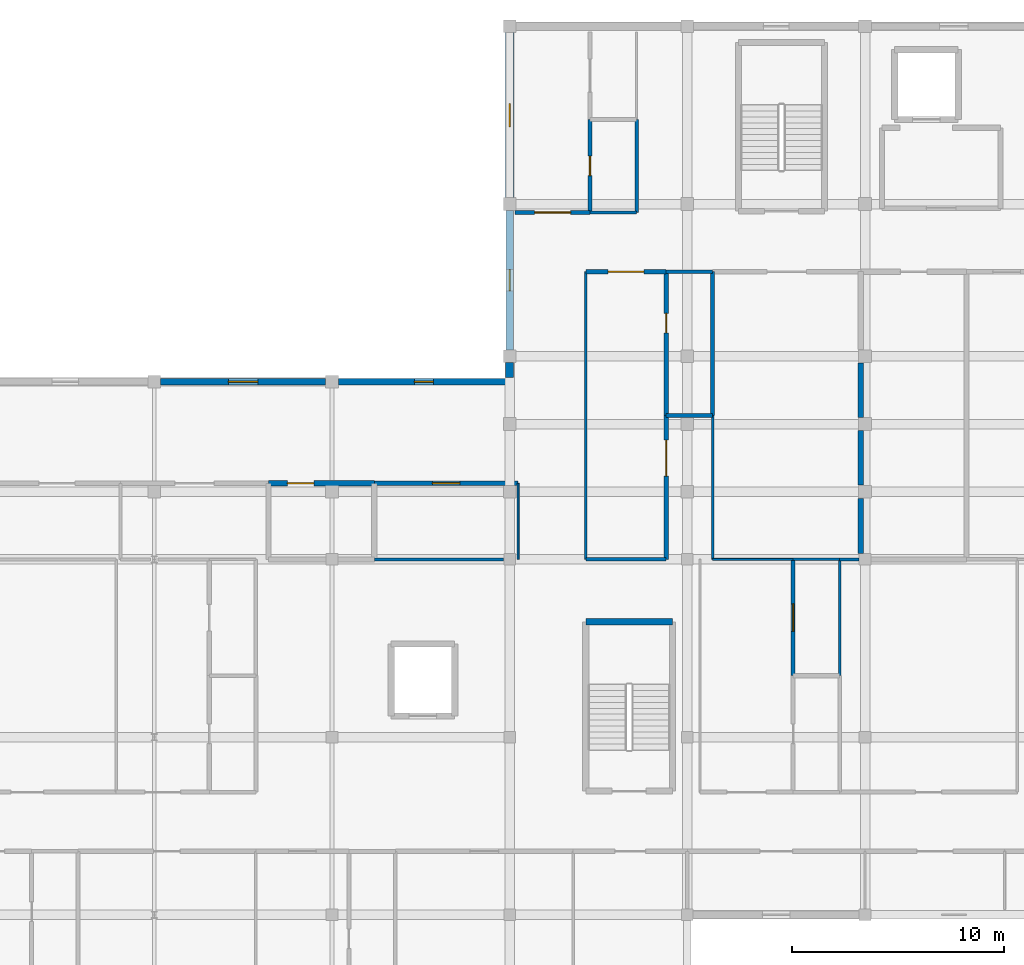
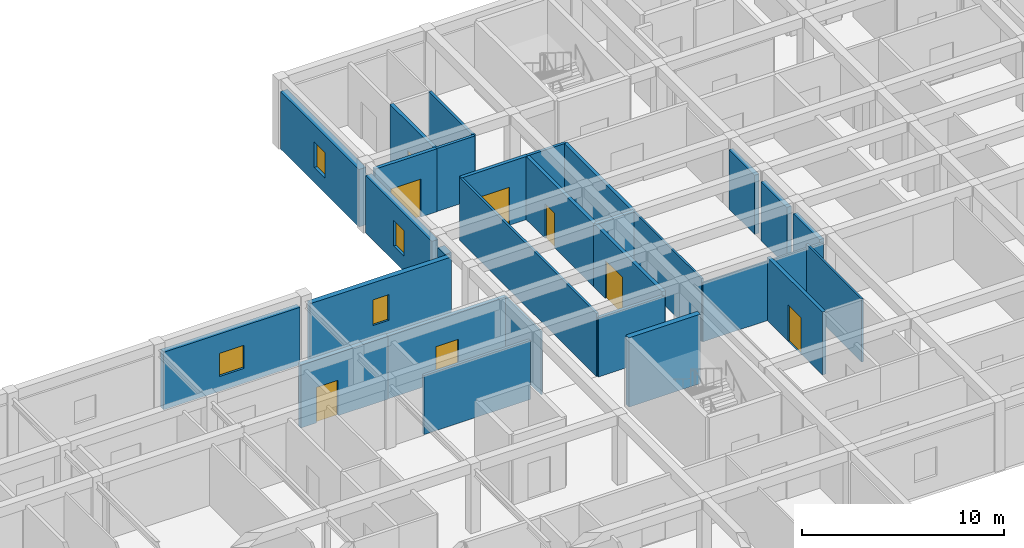
# One storey, part 22 of 42: 31 walls, 8 doors, 4 windows, 12 openings.
"""IFC4 building model written with IfcOpenShell, lengths in metres."""

import ifcopenshell
import ifcopenshell.guid

model = None  # the IFC model being written
_history = None  # IfcOwnerHistory: only IFC2X3 demands one
_inside = {}  # id of a spatial element -> (the spatial element, [elements in it])
_under = {}  # id of a project, library or spatial element -> (it, [spatial elements below it])
_declared = {}  # id of a project -> (the project, [libraries it declares])
_typed = {}  # id of a type object -> (the type object, [elements of that type])
_made_of = {}  # id of a material, layer set ... -> (it, [elements and type objects made of it])


def new_model(schema):
    """Start an empty IFC model of exactly this schema.

    Asked for "IFC4X3", IfcOpenShell would pick the latest addendum, in which some entities
    have other attributes; the version numbers below select the first issue.
    IFC2X3 requires an IfcOwnerHistory on every rooted entity: one is made here for all.
    """
    global model, _history
    if schema == "IFC4X3":
        model = ifcopenshell.file(schema_version=(4, 3, 0, 0))
    else:
        model = ifcopenshell.file(schema=schema)
    _inside.clear()
    _under.clear()
    _declared.clear()
    _typed.clear()
    _made_of.clear()
    _history = None
    if model.schema == "IFC2X3":
        org = make("IfcOrganization", Name="unknown")
        user = make(
            "IfcPersonAndOrganization",
            ThePerson=make("IfcPerson", FamilyName="unknown"),
            TheOrganization=org,
        )
        app = make(
            "IfcApplication",
            ApplicationDeveloper=org,
            Version="unknown",
            ApplicationFullName="unknown",
            ApplicationIdentifier="unknown",
        )
        _history = make(
            "IfcOwnerHistory",
            OwningUser=user,
            OwningApplication=app,
            ChangeAction="ADDED",
            CreationDate=0,
        )
    return model


def make(cls, **values):
    """One entity of the class cls with the attributes given. An attribute that is None is left unset."""
    return model.create_entity(
        cls, **{name: value for name, value in values.items() if value is not None}
    )


def rooted(cls, **values):
    """An entity with a GlobalId (a new one), such as an element, a storey or a relation."""
    return make(cls, GlobalId=ifcopenshell.guid.new(), OwnerHistory=_history, **values)


def si_unit(unit_type, name, prefix=None):
    """IfcSIUnit, for example si_unit("LENGTHUNIT", "METRE", prefix="MILLI")."""
    return make("IfcSIUnit", UnitType=unit_type, Prefix=prefix, Name=name)


def assignment(units):
    """IfcUnitAssignment: the units of a project."""
    return None if units is None else make("IfcUnitAssignment", Units=units)


def point(xyz):
    """IfcCartesianPoint."""
    return None if xyz is None else make("IfcCartesianPoint", Coordinates=xyz)


def direction(xyz):
    """IfcDirection."""
    return None if xyz is None else make("IfcDirection", DirectionRatios=xyz)


def frame(location, z_axis=None, x_axis=None):
    """IfcAxis2Placement3D, a coordinate frame: its origin and axes. An axis left out is left unset."""
    return make(
        "IfcAxis2Placement3D",
        Location=point(location),
        Axis=direction(z_axis),
        RefDirection=direction(x_axis),
    )


def frame_2d(location, x_axis=None):
    """IfcAxis2Placement2D, a coordinate frame in the plane: its origin and x axis."""
    return make(
        "IfcAxis2Placement2D", Location=point(location), RefDirection=direction(x_axis)
    )


def origin():
    """The frame at (0, 0, 0) with its axes left unset."""
    return frame((0.0, 0.0, 0.0))


def place(relative_to, where):
    """IfcLocalPlacement: puts the frame where relative to a parent placement (None: the world)."""
    return make(
        "IfcLocalPlacement", PlacementRelTo=relative_to, RelativePlacement=where
    )


def context(
    kind, dimensions, precision=None, world=None, true_north=None, identifier=None
):
    """IfcGeometricRepresentationContext, for example the 3D "Model" context."""
    return make(
        "IfcGeometricRepresentationContext",
        ContextIdentifier=identifier,
        ContextType=kind,
        CoordinateSpaceDimension=dimensions,
        Precision=precision,
        WorldCoordinateSystem=world,
        TrueNorth=true_north,
    )


def subcontext(parent, identifier, kind, view, scale=None):
    """IfcGeometricRepresentationSubContext, for example "Body" below "Model"."""
    return make(
        "IfcGeometricRepresentationSubContext",
        ContextIdentifier=identifier,
        ContextType=kind,
        ParentContext=parent,
        TargetScale=scale,
        TargetView=view,
    )


def project(units=None, contexts=None):
    """IfcProject with its units and contexts."""
    return rooted(
        "IfcProject",
        Name="project",
        RepresentationContexts=contexts,
        UnitsInContext=assignment(units),
    )


def spatial(cls, under=None, at=None, **own):
    """A site, building, storey or space (cls), placed at a placement, below another one or the project."""
    s = rooted(cls, ObjectPlacement=at, **own)
    if under is not None:
        _under.setdefault(under.id(), (under, []))[1].append(s)
    return s


def profile(cls, at=None, kind="AREA", **sizes):
    """A parametric profile (cls). Its sizes go by their IFC names, for example OverallWidth=200.0."""
    return make(cls, ProfileType=kind, Position=at, **sizes)


def rectangle(**sizes):
    """IfcRectangleProfileDef."""
    return profile("IfcRectangleProfileDef", **sizes)


def extrude(swept, where, along, depth):
    """IfcExtrudedAreaSolid: the profile swept, set in the frame where, extruded along a direction by depth."""
    return make(
        "IfcExtrudedAreaSolid",
        SweptArea=swept,
        Position=where,
        ExtrudedDirection=direction(along),
        Depth=depth,
    )


def shape(context_of_items, identifier, shape_type, items):
    """IfcShapeRepresentation: the items that make up one representation, for example the "Body"."""
    return make(
        "IfcShapeRepresentation",
        ContextOfItems=context_of_items,
        RepresentationIdentifier=identifier,
        RepresentationType=shape_type,
        Items=items,
    )


def material(Name=None, Category=None):
    """IfcMaterial."""
    return make("IfcMaterial", Name=Name, Category=Category)


def layer(
    of_material, thickness, ventilated=None, Name=None, Category=None, Priority=None
):
    """IfcMaterialLayer: one layer of a wall or slab, of a material (None: an air gap)."""
    return make(
        "IfcMaterialLayer",
        Material=of_material,
        LayerThickness=thickness,
        IsVentilated=ventilated,
        Name=Name,
        Category=Category,
        Priority=Priority,
    )


def layer_set(layers, Name=None):
    """IfcMaterialLayerSet."""
    return make("IfcMaterialLayerSet", MaterialLayers=layers, LayerSetName=Name)


def made_of(thing, what):
    """Note that an element or type object is made of a material, layer set ...; save() writes the relation."""
    if what is not None:
        _made_of.setdefault(what.id(), (what, []))[1].append(thing)
    return thing


def type_object(cls, material=None, **own):
    """A type object (cls), such as IfcWallType, which elements share."""
    return made_of(rooted(cls, **own), material)


def element(
    cls,
    number,
    at=None,
    inside=None,
    cuts=None,
    type_object=None,
    material=None,
    context=None,
    identifier="Body",
    shape_type=None,
    held_by="IfcProductDefinitionShape",
    body=None,
    shapes=None,
    **own,
):
    """One element of the class cls, such as IfcWall. Its Tag is "e" and its number.

    at: its placement. inside: the storey or other place that contains it. cuts: it is an
    opening in that element (IfcRelVoidsElement). A single representation is given by context,
    identifier, shape_type and body (its items); several are given by shapes. held_by: the class
    of the entity that holds the representations. save() writes the other relations.
    """
    e = rooted(cls, Tag="e%d" % number, ObjectPlacement=at, **own)
    if body is not None:
        shapes = [shape(context, identifier, shape_type, body)]
    if shapes is not None:
        e.Representation = make(held_by, Representations=shapes)
    if inside is not None:
        _inside.setdefault(inside.id(), (inside, []))[1].append(e)
    if cuts is not None:
        rooted(
            "IfcRelVoidsElement", RelatingBuildingElement=cuts, RelatedOpeningElement=e
        )
    if type_object is not None:
        _typed.setdefault(type_object.id(), (type_object, []))[1].append(e)
    return made_of(e, material)


def fill(opening, filler):
    """IfcRelFillsElement: the door or window that sits in an opening."""
    return rooted(
        "IfcRelFillsElement",
        RelatingOpeningElement=opening,
        RelatedBuildingElement=filler,
    )


def aggregate(whole, parts):
    """IfcRelAggregates: a whole, such as a stair, and the parts it consists of."""
    return rooted("IfcRelAggregates", RelatingObject=whole, RelatedObjects=parts)


def save(model, path):
    """Write the relations noted so far, then the file.

    IfcRelAggregates (storeys below a building ...), IfcRelContainedInSpatialStructure (elements
    in a storey), IfcRelDefinesByType, IfcRelAssociatesMaterial and IfcRelDeclares: one each for
    every whole, place, type object, material and project.
    """
    for whole, parts in _under.values():
        aggregate(whole, parts)
    for where, things in _inside.values():
        rooted(
            "IfcRelContainedInSpatialStructure",
            RelatedElements=things,
            RelatingStructure=where,
        )
    for kind, things in _typed.values():
        rooted("IfcRelDefinesByType", RelatedObjects=things, RelatingType=kind)
    for what, things in _made_of.values():
        rooted("IfcRelAssociatesMaterial", RelatedObjects=things, RelatingMaterial=what)
    for by, libraries in _declared.values():
        rooted("IfcRelDeclares", RelatingContext=by, RelatedDefinitions=libraries)
    model.write(path)


model = new_model("IFC4")

# Units and contexts
model_context = context("Model", 3, precision=1e-05, world=origin(), true_north=direction((0.0, 1.0)))
body_context = subcontext(model_context, "Body", "Model", "MODEL_VIEW")
ifc_project = project(units=[si_unit("LENGTHUNIT", "METRE"), si_unit("AREAUNIT", "SQUARE_METRE"), si_unit("VOLUMEUNIT", "CUBIC_METRE"), si_unit("PLANEANGLEUNIT", "RADIAN"), si_unit("MASSUNIT", "GRAM", prefix="KILO")], contexts=[model_context])

# Site, building, storey
site_placement = place(None, origin())
site = spatial("IfcSite", under=ifc_project, at=site_placement, CompositionType="ELEMENT")
building_placement = place(site_placement, origin())
building = spatial("IfcBuilding", under=site, at=building_placement, Name="Varncliffe General Hospital", CompositionType="ELEMENT")
storey_placement = place(building_placement, frame((0.0, 0.0, 20.39990234375)))
storey = spatial("IfcBuildingStorey", under=building, at=storey_placement, Name="L04", CompositionType="ELEMENT", Elevation=20.39990234375)

# Wall, opening, window
ifc_material_1 = material(Name="Precast concrete C40/50 with insulated cream lime-cement stucco", Category="concrete")
ifc_layer_1 = layer(ifc_material_1, 0.31005859375)
ifc_layer_set_1 = layer_set([ifc_layer_1], Name="Precast concrete C40/50 with insulated cream lime-cement stucco")
wall_type_1 = type_object("IfcWallType", Name="Exterior Insulated Stucco Wall EW20 (310mm)", PredefinedType="SOLIDWALL", material=ifc_layer_set_1)
wall_1_placement = place(storey_placement, frame((92.697998046875, 108.0, 0.0), z_axis=(0.0, 0.0, 1.0), x_axis=(1.0, 0.0, 0.0)))
wall_1 = element("IfcWall", 1, at=wall_1_placement, inside=storey, type_object=wall_type_1, Name="L04 Exterior Stucco Wall EW20-361", PredefinedType="SOLIDWALL", context=body_context, shape_type="SweptSolid", body=[
    extrude(rectangle(XDim=7.803955078125, YDim=0.31005859375, at=frame_2d((3.90185546875, 0.0))), origin(), (0.0, 0.0, 1.0), 3.47998046875),
])
opening_1_placement = place(wall_1_placement, frame((3.201904296875, 0.0, 0.89990234375)))
opening_1 = element("IfcOpeningElement", 2, at=opening_1_placement, cuts=wall_1, Name="Opening WN76", PredefinedType="OPENING", context=body_context, shape_type="SweptSolid", body=[
    extrude(rectangle(XDim=1.39990234375, YDim=1.39990234375, at=frame_2d((0.699951171875, 0.699951171875))), frame((0.0, 0.1650390625, 0.0), z_axis=(0.0, -1.0, 0.0), x_axis=(1.0, 0.0, 0.0)), (0.0, 0.0, 1.0), 0.330078125),
])
ifc_material_2 = material(Name="Triple low-E argon insulated vision glazing", Category="glass")
window_type_1 = type_object("IfcWindowType", Name="Triple-Glazed Hospital Window WN76 (1400x1400)", PartitioningType="SINGLE_PANEL", PredefinedType="WINDOW", material=ifc_material_2)
window_1_placement = place(opening_1_placement, origin())
window_1 = element("IfcWindow", 3, at=window_1_placement, inside=storey, type_object=window_type_1, Name="L04 Hospital Window WN76-270", OverallHeight=1.39990234375, OverallWidth=1.39990234375, PartitioningType="SINGLE_PANEL", PredefinedType="WINDOW", context=body_context, shape_type="SweptSolid", body=[
    extrude(rectangle(XDim=1.39990234375, YDim=1.39990234375, at=frame_2d((0.699951171875, 0.699951171875))), frame((0.0, 0.030029296875, 0.0), z_axis=(0.0, -1.0, 0.0), x_axis=(1.0, 0.0, 0.0)), (0.0, 0.0, 1.0), 0.06005859375),
])
fill(opening_1, window_1)

# Wall
ifc_layer_2 = layer(ifc_material_1, 0.3798828125)
ifc_layer_set_2 = layer_set([ifc_layer_2], Name="Precast concrete C40/50 with insulated cream lime-cement stucco")
wall_type_2 = type_object("IfcWallType", Name="Exterior Insulated Stucco Wall EW26 (380mm)", PredefinedType="SOLIDWALL", material=ifc_layer_set_2)
wall_2_placement = place(storey_placement, frame((109.199951171875, 108.195068359375, 0.0), z_axis=(0.0, 0.0, 1.0), x_axis=(0.0, 1.0, 0.0)))
element("IfcWall", 4, at=wall_2_placement, inside=storey, type_object=wall_type_2, Name="L04 Exterior Stucco Wall EW26-363", PredefinedType="SOLIDWALL", context=body_context, shape_type="SweptSolid", body=[
    extrude(rectangle(XDim=0.70703125, YDim=0.3798828125, at=frame_2d((0.353515625, 0.0))), origin(), (0.0, 0.0, 1.0), 3.47998046875),
])

# Wall, opening, window
ifc_layer_3 = layer(ifc_material_1, 0.2900390625)
ifc_layer_set_3 = layer_set([ifc_layer_3], Name="Precast concrete C40/50 with insulated cream lime-cement stucco")
wall_type_3 = type_object("IfcWallType", Name="Exterior Insulated Stucco Wall EW31 (290mm)", PredefinedType="SOLIDWALL", material=ifc_layer_set_3)
wall_3_placement = place(storey_placement, frame((101.097900390625, 108.0, 0.0), z_axis=(0.0, 0.0, 1.0), x_axis=(1.0, 0.0, 0.0)))
wall_3 = element("IfcWall", 5, at=wall_3_placement, inside=storey, type_object=wall_type_3, Name="L04 Exterior Stucco Wall EW31-362", PredefinedType="SOLIDWALL", context=body_context, shape_type="SweptSolid", body=[
    extrude(rectangle(XDim=8.10205078125, YDim=0.2900390625, at=frame_2d((4.051025390625, 0.0))), origin(), (0.0, 0.0, 1.0), 3.47998046875),
])
opening_2_placement = place(wall_3_placement, frame((3.60107421875, 0.0, 0.89990234375)))
opening_2 = element("IfcOpeningElement", 6, at=opening_2_placement, cuts=wall_3, Name="Opening WN45", PredefinedType="OPENING", context=body_context, shape_type="SweptSolid", body=[
    extrude(rectangle(XDim=0.89990234375, YDim=1.550048828125, at=frame_2d((0.449951171875, 0.77490234375))), frame((0.0, 0.155029296875, 0.0), z_axis=(0.0, -1.0, 0.0), x_axis=(1.0, 0.0, 0.0)), (0.0, 0.0, 1.0), 0.31005859375),
])
window_type_2 = type_object("IfcWindowType", Name="Triple-Glazed Hospital Window WN45 (900x1550)", PartitioningType="SINGLE_PANEL", PredefinedType="WINDOW", material=ifc_material_2)
window_2_placement = place(opening_2_placement, origin())
window_2 = element("IfcWindow", 7, at=window_2_placement, inside=storey, type_object=window_type_2, Name="L04 Hospital Window WN45-271", OverallHeight=1.550048828125, OverallWidth=0.89990234375, PartitioningType="SINGLE_PANEL", PredefinedType="WINDOW", context=body_context, shape_type="SweptSolid", body=[
    extrude(rectangle(XDim=0.89990234375, YDim=1.550048828125, at=frame_2d((0.449951171875, 0.77490234375))), frame((0.0, 0.030029296875, 0.0), z_axis=(0.0, -1.0, 0.0), x_axis=(1.0, 0.0, 0.0)), (0.0, 0.0, 1.0), 0.06005859375),
])
fill(opening_2, window_2)

ifc_layer_4 = layer(ifc_material_1, 0.35009765625)
ifc_layer_set_4 = layer_set([ifc_layer_4], Name="Precast concrete C40/50 with insulated cream lime-cement stucco")
wall_type_4 = type_object("IfcWallType", Name="Exterior Insulated Stucco Wall EW37 (350mm)", PredefinedType="SOLIDWALL", material=ifc_layer_set_4)
wall_4_placement = place(storey_placement, frame((109.199951171875, 109.498046875, 0.0), z_axis=(0.0, 0.0, 1.0), x_axis=(0.0, 1.0, 0.0)))
wall_4 = element("IfcWall", 8, at=wall_4_placement, inside=storey, type_object=wall_type_4, Name="L04 Exterior Stucco Wall EW37-364", PredefinedType="SOLIDWALL", context=body_context, shape_type="SweptSolid", body=[
    extrude(rectangle(XDim=6.60400390625, YDim=0.35009765625, at=frame_2d((3.302001953125, 0.0))), origin(), (0.0, 0.0, 1.0), 3.47998046875),
])
opening_3_placement = place(wall_4_placement, frame((2.802001953125, 0.0, 0.89990234375)))
opening_3 = element("IfcOpeningElement", 9, at=opening_3_placement, cuts=wall_4, Name="Opening WN21", PredefinedType="OPENING", context=body_context, shape_type="SweptSolid", body=[
    extrude(rectangle(XDim=1.0, YDim=1.550048828125, at=frame_2d((0.5, 0.77490234375))), frame((0.0, 0.18505859375, 0.0), z_axis=(0.0, -1.0, 0.0), x_axis=(1.0, 0.0, 0.0)), (0.0, 0.0, 1.0), 0.3701171875),
])
window_type_3 = type_object("IfcWindowType", Name="Triple-Glazed Hospital Window WN21 (1000x1550)", PartitioningType="SINGLE_PANEL", PredefinedType="WINDOW", material=ifc_material_2)
window_3_placement = place(opening_3_placement, origin())
window_3 = element("IfcWindow", 10, at=window_3_placement, inside=storey, type_object=window_type_3, Name="L04 Hospital Window WN21-272", OverallHeight=1.550048828125, OverallWidth=1.0, PartitioningType="SINGLE_PANEL", PredefinedType="WINDOW", context=body_context, shape_type="SweptSolid", body=[
    extrude(rectangle(XDim=1.0, YDim=1.550048828125, at=frame_2d((0.5, 0.77490234375))), frame((0.0, 0.030029296875, 0.0), z_axis=(0.0, -1.0, 0.0), x_axis=(1.0, 0.0, 0.0)), (0.0, 0.0, 1.0), 0.06005859375),
])
fill(opening_3, window_3)

ifc_layer_5 = layer(ifc_material_1, 0.39990234375)
ifc_layer_set_5 = layer_set([ifc_layer_5], Name="Precast concrete C40/50 with insulated cream lime-cement stucco")
wall_type_5 = type_object("IfcWallType", Name="Exterior Insulated Stucco Wall EW47 (400mm)", PredefinedType="SOLIDWALL", material=ifc_layer_set_5)
wall_5_placement = place(storey_placement, frame((109.199951171875, 116.697998046875, 0.0), z_axis=(0.0, 0.0, 1.0), x_axis=(0.0, 1.0, 0.0)))
wall_5 = element("IfcWall", 11, at=wall_5_placement, inside=storey, type_object=wall_type_5, Name="L04 Exterior Stucco Wall EW47-365", PredefinedType="SOLIDWALL", context=body_context, shape_type="SweptSolid", body=[
    extrude(rectangle(XDim=7.803955078125, YDim=0.39990234375, at=frame_2d((3.90185546875, 0.0))), origin(), (0.0, 0.0, 1.0), 3.47998046875),
])
opening_4_placement = place(wall_5_placement, frame((3.35205078125, 0.0, 0.89990234375)))
opening_4 = element("IfcOpeningElement", 12, at=opening_4_placement, cuts=wall_5, Name="Opening WN69", PredefinedType="OPENING", context=body_context, shape_type="SweptSolid", body=[
    extrude(rectangle(XDim=1.10009765625, YDim=1.550048828125, at=frame_2d((0.550048828125, 0.77490234375))), frame((0.0, 0.2099609375, 0.0), z_axis=(0.0, -1.0, 0.0), x_axis=(1.0, 0.0, 0.0)), (0.0, 0.0, 1.0), 0.419921875),
])
window_type_4 = type_object("IfcWindowType", Name="Triple-Glazed Hospital Window WN69 (1100x1550)", PartitioningType="SINGLE_PANEL", PredefinedType="WINDOW", material=ifc_material_2)
window_4_placement = place(opening_4_placement, origin())
window_4 = element("IfcWindow", 13, at=window_4_placement, inside=storey, type_object=window_type_4, Name="L04 Hospital Window WN69-273", OverallHeight=1.550048828125, OverallWidth=1.10009765625, PartitioningType="SINGLE_PANEL", PredefinedType="WINDOW", context=body_context, shape_type="SweptSolid", body=[
    extrude(rectangle(XDim=1.10009765625, YDim=1.550048828125, at=frame_2d((0.550048828125, 0.77490234375))), frame((0.0, 0.030029296875, 0.0), z_axis=(0.0, -1.0, 0.0), x_axis=(1.0, 0.0, 0.0)), (0.0, 0.0, 1.0), 0.06005859375),
])
fill(opening_4, window_4)

# Walls
ifc_material_3 = material(Name="Acoustic clinical gypsum stud partition assembly", Category="gypsum")
ifc_layer_6 = layer(ifc_material_3, 0.1298828125)
ifc_layer_set_6 = layer_set([ifc_layer_6], Name="Acoustic clinical gypsum stud partition assembly")
wall_type_6 = type_object("IfcWallType", Name="Interior Partitioning IW11 (130mm)", PredefinedType="PARTITIONING", material=ifc_layer_set_6)
wall_6_placement = place(storey_placement, frame((124.800048828125, 99.60009765625, 0.0), z_axis=(0.0, 0.0, 1.0), x_axis=(1.0, 0.0, 0.0)))
element("IfcWall", 14, at=wall_6_placement, inside=storey, type_object=wall_type_6, Name="L04 Interior Partition Wall IW11-1758", PredefinedType="PARTITIONING", context=body_context, shape_type="SweptSolid", body=[
    extrude(rectangle(XDim=0.909912109375, YDim=0.1298828125, at=frame_2d((0.455078125, 0.0))), origin(), (0.0, 0.0, 1.0), 3.585205078125),
])
wall_7_placement = place(storey_placement, frame((112.800048828125, 99.60009765625, 0.0), z_axis=(0.0, 0.0, 1.0), x_axis=(0.0, 1.0, 0.0)))
element("IfcWall", 15, at=wall_7_placement, inside=storey, type_object=wall_type_6, Name="L04 Interior Partition Wall IW11-1918", PredefinedType="PARTITIONING", context=body_context, shape_type="SweptSolid", body=[
    extrude(rectangle(XDim=13.599853515625, YDim=0.1298828125, at=frame_2d((6.7998046875, 0.0))), origin(), (0.0, 0.0, 1.0), 3.820068359375),
])
ifc_layer_7 = layer(ifc_material_3, 0.169921875)
ifc_layer_set_7 = layer_set([ifc_layer_7], Name="Acoustic clinical gypsum stud partition assembly")
wall_type_7 = type_object("IfcWallType", Name="Interior Partitioning IW20 (170mm)", PredefinedType="PARTITIONING", material=ifc_layer_set_7)
wall_8_placement = place(storey_placement, frame((112.800048828125, 99.60009765625, 0.0), z_axis=(0.0, 0.0, 1.0), x_axis=(1.0, 0.0, 0.0)))
element("IfcWall", 16, at=wall_8_placement, inside=storey, type_object=wall_type_7, Name="L04 Interior Partition Wall IW20-1755", PredefinedType="PARTITIONING", context=body_context, shape_type="SweptSolid", body=[
    extrude(rectangle(XDim=3.800048828125, YDim=0.169921875, at=frame_2d((1.89990234375, 0.0))), origin(), (0.0, 0.0, 1.0), 3.585205078125),
])
ifc_layer_8 = layer(ifc_material_3, 0.14990234375)
ifc_layer_set_8 = layer_set([ifc_layer_8], Name="Acoustic clinical gypsum stud partition assembly")
wall_type_8 = type_object("IfcWallType", Name="Interior Partitioning IW35 (150mm)", PredefinedType="PARTITIONING", material=ifc_layer_set_8)
wall_9_placement = place(storey_placement, frame((102.800048828125, 99.60009765625, 0.0), z_axis=(0.0, 0.0, 1.0), x_axis=(1.0, 0.0, 0.0)))
element("IfcWall", 17, at=wall_9_placement, inside=storey, type_object=wall_type_8, Name="L04 Interior Partition Wall IW35-1754", PredefinedType="PARTITIONING", context=body_context, shape_type="SweptSolid", body=[
    extrude(rectangle(XDim=6.10986328125, YDim=0.14990234375, at=frame_2d((3.054931640625, 0.0))), origin(), (0.0, 0.0, 1.0), 3.585205078125),
])
ifc_layer_9 = layer(ifc_material_3, 0.090087890625)
ifc_layer_set_9 = layer_set([ifc_layer_9], Name="Acoustic clinical gypsum stud partition assembly")
wall_type_9 = type_object("IfcWallType", Name="Interior Partitioning IW42 (90mm)", PredefinedType="PARTITIONING", material=ifc_layer_set_9)
wall_10_placement = place(storey_placement, frame((118.800048828125, 99.60009765625, 0.0), z_axis=(0.0, 0.0, 1.0), x_axis=(1.0, 0.0, 0.0)))
element("IfcWall", 18, at=wall_10_placement, inside=storey, type_object=wall_type_9, Name="L04 Interior Partition Wall IW42-1756", PredefinedType="PARTITIONING", context=body_context, shape_type="SweptSolid", body=[
    extrude(rectangle(XDim=3.800048828125, YDim=0.090087890625, at=frame_2d((1.89990234375, 0.0))), origin(), (0.0, 0.0, 1.0), 3.585205078125),
])
wall_11_placement = place(storey_placement, frame((109.60009765625, 99.60009765625, 0.0), z_axis=(0.0, 0.0, 1.0), x_axis=(0.0, 1.0, 0.0)))
element("IfcWall", 19, at=wall_11_placement, inside=storey, type_object=wall_type_9, Name="L04 Interior Partition Wall IW42-1916", PredefinedType="PARTITIONING", context=body_context, shape_type="SweptSolid", body=[
    extrude(rectangle(XDim=3.599853515625, YDim=0.090087890625, at=frame_2d((1.7998046875, 0.0))), origin(), (0.0, 0.0, 1.0), 3.820068359375),
])
ifc_layer_10 = layer(ifc_material_3, 0.110107421875)
ifc_layer_set_10 = layer_set([ifc_layer_10], Name="Acoustic clinical gypsum stud partition assembly")
wall_type_10 = type_object("IfcWallType", Name="Interior Partitioning IW65 (110mm)", PredefinedType="PARTITIONING", material=ifc_layer_set_10)
wall_12_placement = place(storey_placement, frame((122.60009765625, 99.60009765625, 0.0), z_axis=(0.0, 0.0, 1.0), x_axis=(1.0, 0.0, 0.0)))
element("IfcWall", 20, at=wall_12_placement, inside=storey, type_object=wall_type_10, Name="L04 Interior Partition Wall IW65-1757", PredefinedType="PARTITIONING", context=body_context, shape_type="SweptSolid", body=[
    extrude(rectangle(XDim=2.199951171875, YDim=0.110107421875, at=frame_2d((1.10009765625, 0.0))), origin(), (0.0, 0.0, 1.0), 3.585205078125),
])
wall_13_placement = place(storey_placement, frame((118.800048828125, 99.60009765625, 0.0), z_axis=(0.0, 0.0, 1.0), x_axis=(0.0, 1.0, 0.0)))
element("IfcWall", 21, at=wall_13_placement, inside=storey, type_object=wall_type_10, Name="L04 Interior Partition Wall IW65-1927", PredefinedType="PARTITIONING", context=body_context, shape_type="SweptSolid", body=[
    extrude(rectangle(XDim=6.7998046875, YDim=0.110107421875, at=frame_2d((3.39990234375, 0.0))), origin(), (0.0, 0.0, 1.0), 3.820068359375),
])
wall_14_placement = place(storey_placement, frame((124.800048828125, 94.10009765625, 0.0), z_axis=(0.0, 0.0, 1.0), x_axis=(0.0, 1.0, 0.0)))
element("IfcWall", 22, at=wall_14_placement, inside=storey, type_object=wall_type_10, Name="L04 Interior Partition Wall IW65-1932", PredefinedType="PARTITIONING", context=body_context, shape_type="SweptSolid", body=[
    extrude(rectangle(XDim=5.5, YDim=0.110107421875, at=frame_2d((2.75, 0.0))), origin(), (0.0, 0.0, 1.0), 3.820068359375),
])

# Wall, opening, door
ifc_material_4 = material(Name="Fire-rated gypsum and mineral-wool partition assembly", Category="gypsum")
ifc_layer_11 = layer(ifc_material_4, 0.25)
ifc_layer_set_11 = layer_set([ifc_layer_11], Name="Fire-rated gypsum and mineral-wool partition assembly")
wall_type_11 = type_object("IfcWallType", Name="Interior Partitioning PW38 (250mm)", PredefinedType="PARTITIONING", material=ifc_layer_set_11)
wall_15_placement = place(storey_placement, frame((97.800048828125, 103.199951171875, 0.0), z_axis=(0.0, 0.0, 1.0), x_axis=(1.0, 0.0, 0.0)))
wall_15 = element("IfcWall", 23, at=wall_15_placement, inside=storey, type_object=wall_type_11, Name="L04 Interior Partition Wall PW38-1777", PredefinedType="PARTITIONING", context=body_context, shape_type="SweptSolid", body=[
    extrude(rectangle(XDim=5.0, YDim=0.25, at=frame_2d((2.5, 0.0))), origin(), (0.0, 0.0, 1.0), 3.820068359375),
])
opening_5_placement = place(wall_15_placement, frame((0.89404296875, 0.0, 0.0)))
opening_5 = element("IfcOpeningElement", 24, at=opening_5_placement, cuts=wall_15, Name="Opening DC44", PredefinedType="OPENING", context=body_context, shape_type="SweptSolid", body=[
    extrude(rectangle(XDim=1.25, YDim=2.14990234375, at=frame_2d((0.625, 1.074951171875))), frame((0.0, 0.135009765625, 0.0), z_axis=(0.0, -1.0, 0.0), x_axis=(1.0, 0.0, 0.0)), (0.0, 0.0, 1.0), 0.27001953125),
])
ifc_material_5 = material(Name="Fire-rated hospital steel-frame vision-panel door", Category="steel")
door_type_1 = type_object("IfcDoorType", Name="Interior Hospital Door DC44 (1250x2150)", OperationType="NOTDEFINED", PredefinedType="DOOR", material=ifc_material_5)
door_1_placement = place(opening_5_placement, frame((1.25, 0.0, 0.0), z_axis=(0.0, 0.0, 1.0), x_axis=(-1.0, 0.0, 0.0)))
door_1 = element("IfcDoor", 25, at=door_1_placement, inside=storey, type_object=door_type_1, Name="L04 Ward Soiled Utility Store 140 Door", OperationType="SINGLE_SWING_LEFT", OverallHeight=2.14990234375, OverallWidth=1.25, PredefinedType="DOOR", context=body_context, shape_type="SweptSolid", body=[
    extrude(rectangle(XDim=1.25, YDim=2.14990234375, at=frame_2d((0.625, 1.074951171875))), frame((0.0, 0.02490234375, 0.0), z_axis=(0.0, -1.0, 0.0), x_axis=(1.0, 0.0, 0.0)), (0.0, 0.0, 1.0), 0.050048828125),
])
fill(opening_5, door_1)

# Walls
wall_16_placement = place(storey_placement, frame((125.800048828125, 99.889892578125, 0.0), z_axis=(0.0, 0.0, 1.0), x_axis=(0.0, 1.0, 0.0)))
element("IfcWall", 26, at=wall_16_placement, inside=storey, type_object=wall_type_11, Name="L04 Interior Partition Wall PW38-1934", PredefinedType="PARTITIONING", context=body_context, shape_type="SweptSolid", body=[
    extrude(rectangle(XDim=2.59521484375, YDim=0.25, at=frame_2d((1.297607421875, 0.0))), origin(), (0.0, 0.0, 1.0), 3.585205078125),
])
for number, where, z_axis, x_axis, name in (
    (27, (125.800048828125, 103.114990234375, 0.0), (0.0, 0.0, 1.0), (0.0, 1.0, 0.0), "L04 Interior Partition Wall PW38-1935"),
    (28, (125.800048828125, 106.31494140625, 0.0), (0.0, 0.0, 1.0), (0.0, 1.0, 0.0), "L04 Interior Partition Wall PW38-1936"),
):
    element("IfcWall", number, at=place(storey_placement, frame(where, z_axis=z_axis, x_axis=x_axis)), inside=storey, type_object=wall_type_11, Name=name, PredefinedType="PARTITIONING", context=body_context, shape_type="SweptSolid", body=[
        extrude(rectangle(XDim=2.570068359375, YDim=0.25, at=frame_2d((1.28515625, 0.0))), origin(), (0.0, 0.0, 1.0), 3.585205078125),
    ])

# Wall, opening, door
ifc_layer_12 = layer(ifc_material_4, 0.199951171875)
ifc_layer_set_12 = layer_set([ifc_layer_12], Name="Fire-rated gypsum and mineral-wool partition assembly")
wall_type_12 = type_object("IfcWallType", Name="Interior Partitioning PW63 (200mm)", PredefinedType="PARTITIONING", material=ifc_layer_set_12)
wall_17_placement = place(storey_placement, frame((102.800048828125, 103.199951171875, 0.0), z_axis=(0.0, 0.0, 1.0), x_axis=(1.0, 0.0, 0.0)))
wall_17 = element("IfcWall", 29, at=wall_17_placement, inside=storey, type_object=wall_type_12, Name="L04 Interior Partition Wall PW63-1778", PredefinedType="PARTITIONING", context=body_context, shape_type="SweptSolid", body=[
    extrude(rectangle(XDim=6.800048828125, YDim=0.199951171875, at=frame_2d((3.39990234375, 0.0))), origin(), (0.0, 0.0, 1.0), 3.820068359375),
])
opening_6_placement = place(wall_17_placement, frame((2.75, 0.0, 0.0)))
opening_6 = element("IfcOpeningElement", 30, at=opening_6_placement, cuts=wall_17, Name="Opening DC88", PredefinedType="OPENING", context=body_context, shape_type="SweptSolid", body=[
    extrude(rectangle(XDim=1.300048828125, YDim=2.199951171875, at=frame_2d((0.64990234375, 1.10009765625))), frame((0.0, 0.10986328125, 0.0), z_axis=(0.0, -1.0, 0.0), x_axis=(1.0, 0.0, 0.0)), (0.0, 0.0, 1.0), 0.219970703125),
])
door_type_2 = type_object("IfcDoorType", Name="Interior Hospital Door DC88 (1300x2200)", OperationType="NOTDEFINED", PredefinedType="DOOR", material=ifc_material_5)
door_2_placement = place(opening_6_placement, frame((1.300048828125, 0.0, 0.0), z_axis=(0.0, 0.0, 1.0), x_axis=(-1.0, 0.0, 0.0)))
door_2 = element("IfcDoor", 31, at=door_2_placement, inside=storey, type_object=door_type_2, Name="L04 Cardiology Telemetry Inpatient Room 141 Door", OperationType="SINGLE_SWING_RIGHT", OverallHeight=2.199951171875, OverallWidth=1.300048828125, PredefinedType="DOOR", context=body_context, shape_type="SweptSolid", body=[
    extrude(rectangle(XDim=1.300048828125, YDim=2.199951171875, at=frame_2d((0.64990234375, 1.10009765625))), frame((0.0, 0.02490234375, 0.0), z_axis=(0.0, -1.0, 0.0), x_axis=(1.0, 0.0, 0.0)), (0.0, 0.0, 1.0), 0.050048828125),
])
fill(opening_6, door_2)

wall_18_placement = place(storey_placement, frame((112.800048828125, 113.199951171875, 0.0), z_axis=(0.0, 0.0, 1.0), x_axis=(1.0, 0.0, 0.0)))
wall_18 = element("IfcWall", 32, at=wall_18_placement, inside=storey, type_object=wall_type_12, Name="L04 Interior Partition Wall PW63-1798", PredefinedType="PARTITIONING", context=body_context, shape_type="SweptSolid", body=[
    extrude(rectangle(XDim=3.800048828125, YDim=0.199951171875, at=frame_2d((1.89990234375, 0.0))), origin(), (0.0, 0.0, 1.0), 3.820068359375),
])
opening_7_placement = place(wall_18_placement, frame((1.050048828125, 0.0, 0.0)))
opening_7 = element("IfcOpeningElement", 33, at=opening_7_placement, cuts=wall_18, Name="Opening DC50", PredefinedType="OPENING", context=body_context, shape_type="SweptSolid", body=[
    extrude(rectangle(XDim=1.699951171875, YDim=2.300048828125, at=frame_2d((0.85009765625, 1.14990234375))), frame((0.0, 0.10986328125, 0.0), z_axis=(0.0, -1.0, 0.0), x_axis=(1.0, 0.0, 0.0)), (0.0, 0.0, 1.0), 0.219970703125),
])
door_type_3 = type_object("IfcDoorType", Name="Interior Hospital Door DC50 (1700x2300)", OperationType="NOTDEFINED", PredefinedType="DOOR", material=ifc_material_5)
door_3_placement = place(opening_7_placement, frame((1.699951171875, 0.0, 0.0), z_axis=(0.0, 0.0, 1.0), x_axis=(-1.0, 0.0, 0.0)))
door_3 = element("IfcDoor", 34, at=door_3_placement, inside=storey, type_object=door_type_3, Name="L04 Cardiology Telemetry Inpatient Room 95 Door", OperationType="SINGLE_SWING_LEFT", OverallHeight=2.300048828125, OverallWidth=1.699951171875, PredefinedType="DOOR", context=body_context, shape_type="SweptSolid", body=[
    extrude(rectangle(XDim=1.699951171875, YDim=2.300048828125, at=frame_2d((0.85009765625, 1.14990234375))), frame((0.0, 0.02490234375, 0.0), z_axis=(0.0, -1.0, 0.0), x_axis=(1.0, 0.0, 0.0)), (0.0, 0.0, 1.0), 0.050048828125),
])
fill(opening_7, door_3)

wall_19_placement = place(storey_placement, frame((109.4599609375, 116.0, 0.0), z_axis=(0.0, 0.0, 1.0), x_axis=(1.0, 0.0, 0.0)))
wall_19 = element("IfcWall", 35, at=wall_19_placement, inside=storey, type_object=wall_type_12, Name="L04 Interior Partition Wall PW63-1816", PredefinedType="PARTITIONING", context=body_context, shape_type="SweptSolid", body=[
    extrude(rectangle(XDim=3.5400390625, YDim=0.199951171875, at=frame_2d((1.77001953125, 0.0))), origin(), (0.0, 0.0, 1.0), 3.820068359375),
])
opening_8_placement = place(wall_19_placement, frame((0.919921875, 0.0, 0.0)))
opening_8 = element("IfcOpeningElement", 36, at=opening_8_placement, cuts=wall_19, Name="Opening DC50", PredefinedType="OPENING", context=body_context, shape_type="SweptSolid", body=[
    extrude(rectangle(XDim=1.699951171875, YDim=2.300048828125, at=frame_2d((0.85009765625, 1.14990234375))), frame((0.0, 0.10986328125, 0.0), z_axis=(0.0, -1.0, 0.0), x_axis=(1.0, 0.0, 0.0)), (0.0, 0.0, 1.0), 0.219970703125),
])
door_4_placement = place(opening_8_placement, origin())
door_4 = element("IfcDoor", 37, at=door_4_placement, inside=storey, type_object=door_type_3, Name="L04 Cardiology Telemetry Inpatient Room 115 Door", OperationType="SINGLE_SWING_LEFT", OverallHeight=2.300048828125, OverallWidth=1.699951171875, PredefinedType="DOOR", context=body_context, shape_type="SweptSolid", body=[
    extrude(rectangle(XDim=1.699951171875, YDim=2.300048828125, at=frame_2d((0.85009765625, 1.14990234375))), frame((0.0, 0.02490234375, 0.0), z_axis=(0.0, -1.0, 0.0), x_axis=(1.0, 0.0, 0.0)), (0.0, 0.0, 1.0), 0.050048828125),
])
fill(opening_8, door_4)

wall_20_placement = place(storey_placement, frame((113.0, 116.0, 0.0), z_axis=(0.0, 0.0, 1.0), x_axis=(0.0, 1.0, 0.0)))
wall_20 = element("IfcWall", 38, at=wall_20_placement, inside=storey, type_object=wall_type_12, Name="L04 Interior Partition Wall PW63-1919", PredefinedType="PARTITIONING", context=body_context, shape_type="SweptSolid", body=[
    extrude(rectangle(XDim=4.39990234375, YDim=0.199951171875, at=frame_2d((2.199951171875, 0.0))), origin(), (0.0, 0.0, 1.0), 3.820068359375),
])
opening_9_placement = place(wall_20_placement, frame((1.739990234375, 0.0, 0.0)))
opening_9 = element("IfcOpeningElement", 39, at=opening_9_placement, cuts=wall_20, Name="Opening DI70", PredefinedType="OPENING", context=body_context, shape_type="SweptSolid", body=[
    extrude(rectangle(XDim=0.919921875, YDim=2.10009765625, at=frame_2d((0.4599609375, 1.050048828125))), frame((0.0, 0.10986328125, 0.0), z_axis=(0.0, -1.0, 0.0), x_axis=(1.0, 0.0, 0.0)), (0.0, 0.0, 1.0), 0.219970703125),
])
ifc_material_6 = material(Name="Solid-core antimicrobial hospital oak veneer door", Category="wood")
door_type_4 = type_object("IfcDoorType", Name="Interior Hospital Door DI70 (920x2100)", OperationType="NOTDEFINED", PredefinedType="DOOR", material=ifc_material_6)
door_5_placement = place(opening_9_placement, frame((0.919921875, 0.0, 0.0), z_axis=(0.0, 0.0, 1.0), x_axis=(-1.0, 0.0, 0.0)))
door_5 = element("IfcDoor", 40, at=door_5_placement, inside=storey, type_object=door_type_4, Name="L04 En-Suite Bathroom 116 Door", OperationType="SINGLE_SWING_RIGHT", OverallHeight=2.10009765625, OverallWidth=0.919921875, PredefinedType="DOOR", context=body_context, shape_type="SweptSolid", body=[
    extrude(rectangle(XDim=0.919921875, YDim=2.10009765625, at=frame_2d((0.4599609375, 1.050048828125))), frame((0.0, 0.02490234375, 0.0), z_axis=(0.0, -1.0, 0.0), x_axis=(1.0, 0.0, 0.0)), (0.0, 0.0, 1.0), 0.050048828125),
])
fill(opening_9, door_5)

wall_21_placement = place(storey_placement, frame((116.60009765625, 99.60009765625, 0.0), z_axis=(0.0, 0.0, 1.0), x_axis=(0.0, 1.0, 0.0)))
wall_21 = element("IfcWall", 41, at=wall_21_placement, inside=storey, type_object=wall_type_12, Name="L04 Interior Partition Wall PW63-1923", PredefinedType="PARTITIONING", context=body_context, shape_type="SweptSolid", body=[
    extrude(rectangle(XDim=6.7998046875, YDim=0.199951171875, at=frame_2d((3.39990234375, 0.0))), origin(), (0.0, 0.0, 1.0), 3.820068359375),
])
opening_10_placement = place(wall_21_placement, frame((3.93603515625, 0.0, 0.0)))
opening_10 = element("IfcOpeningElement", 42, at=opening_10_placement, cuts=wall_21, Name="Opening DC50", PredefinedType="OPENING", context=body_context, shape_type="SweptSolid", body=[
    extrude(rectangle(XDim=1.699951171875, YDim=2.300048828125, at=frame_2d((0.85009765625, 1.14990234375))), frame((0.0, 0.10986328125, 0.0), z_axis=(0.0, -1.0, 0.0), x_axis=(1.0, 0.0, 0.0)), (0.0, 0.0, 1.0), 0.219970703125),
])
door_6_placement = place(opening_10_placement, frame((1.699951171875, 0.0, 0.0), z_axis=(0.0, 0.0, 1.0), x_axis=(-1.0, 0.0, 0.0)))
door_6 = element("IfcDoor", 43, at=door_6_placement, inside=storey, type_object=door_type_3, Name="L04 Patient Medication and Hygiene Bay 97 Door", OperationType="SINGLE_SWING_RIGHT", OverallHeight=2.300048828125, OverallWidth=1.699951171875, PredefinedType="DOOR", context=body_context, shape_type="SweptSolid", body=[
    extrude(rectangle(XDim=1.699951171875, YDim=2.300048828125, at=frame_2d((0.85009765625, 1.14990234375))), frame((0.0, 0.02490234375, 0.0), z_axis=(0.0, -1.0, 0.0), x_axis=(1.0, 0.0, 0.0)), (0.0, 0.0, 1.0), 0.050048828125),
])
fill(opening_10, door_6)

wall_22_placement = place(storey_placement, frame((116.60009765625, 106.39990234375, 0.0), z_axis=(0.0, 0.0, 1.0), x_axis=(0.0, 1.0, 0.0)))
wall_22 = element("IfcWall", 44, at=wall_22_placement, inside=storey, type_object=wall_type_12, Name="L04 Interior Partition Wall PW63-1924", PredefinedType="PARTITIONING", context=body_context, shape_type="SweptSolid", body=[
    extrude(rectangle(XDim=6.800048828125, YDim=0.199951171875, at=frame_2d((3.39990234375, 0.0))), origin(), (0.0, 0.0, 1.0), 3.820068359375),
])
opening_11_placement = place(wall_22_placement, frame((3.912109375, 0.0, 0.0)))
opening_11 = element("IfcOpeningElement", 45, at=opening_11_placement, cuts=wall_22, Name="Opening DI70", PredefinedType="OPENING", context=body_context, shape_type="SweptSolid", body=[
    extrude(rectangle(XDim=0.919921875, YDim=2.10009765625, at=frame_2d((0.4599609375, 1.050048828125))), frame((0.0, 0.10986328125, 0.0), z_axis=(0.0, -1.0, 0.0), x_axis=(1.0, 0.0, 0.0)), (0.0, 0.0, 1.0), 0.219970703125),
])
door_7_placement = place(opening_11_placement, frame((0.919921875, 0.0, 0.0), z_axis=(0.0, 0.0, 1.0), x_axis=(-1.0, 0.0, 0.0)))
door_7 = element("IfcDoor", 46, at=door_7_placement, inside=storey, type_object=door_type_4, Name="L04 En-Suite Bathroom 96 Door", OperationType="SINGLE_SWING_LEFT", OverallHeight=2.10009765625, OverallWidth=0.919921875, PredefinedType="DOOR", context=body_context, shape_type="SweptSolid", body=[
    extrude(rectangle(XDim=0.919921875, YDim=2.10009765625, at=frame_2d((0.4599609375, 1.050048828125))), frame((0.0, 0.02490234375, 0.0), z_axis=(0.0, -1.0, 0.0), x_axis=(1.0, 0.0, 0.0)), (0.0, 0.0, 1.0), 0.050048828125),
])
fill(opening_11, door_7)

wall_23_placement = place(storey_placement, frame((122.60009765625, 94.10009765625, 0.0), z_axis=(0.0, 0.0, 1.0), x_axis=(0.0, 1.0, 0.0)))
wall_23 = element("IfcWall", 47, at=wall_23_placement, inside=storey, type_object=wall_type_12, Name="L04 Interior Partition Wall PW63-1930", PredefinedType="PARTITIONING", context=body_context, shape_type="SweptSolid", body=[
    extrude(rectangle(XDim=5.5, YDim=0.199951171875, at=frame_2d((2.75, 0.0))), origin(), (0.0, 0.0, 1.0), 3.820068359375),
])
opening_12_placement = place(wall_23_placement, frame((2.10009765625, 0.0, 0.0)))
opening_12 = element("IfcOpeningElement", 48, at=opening_12_placement, cuts=wall_23, Name="Opening DC88", PredefinedType="OPENING", context=body_context, shape_type="SweptSolid", body=[
    extrude(rectangle(XDim=1.300048828125, YDim=2.199951171875, at=frame_2d((0.64990234375, 1.10009765625))), frame((0.0, 0.10986328125, 0.0), z_axis=(0.0, -1.0, 0.0), x_axis=(1.0, 0.0, 0.0)), (0.0, 0.0, 1.0), 0.219970703125),
])
door_8_placement = place(opening_12_placement, frame((1.300048828125, 0.0, 0.0), z_axis=(0.0, 0.0, 1.0), x_axis=(-1.0, 0.0, 0.0)))
door_8 = element("IfcDoor", 49, at=door_8_placement, inside=storey, type_object=door_type_2, Name="L04 Patient Medication and Hygiene Bay 58 Door", OperationType="SINGLE_SWING_LEFT", OverallHeight=2.199951171875, OverallWidth=1.300048828125, PredefinedType="DOOR", context=body_context, shape_type="SweptSolid", body=[
    extrude(rectangle(XDim=1.300048828125, YDim=2.199951171875, at=frame_2d((0.64990234375, 1.10009765625))), frame((0.0, 0.02490234375, 0.0), z_axis=(0.0, -1.0, 0.0), x_axis=(1.0, 0.0, 0.0)), (0.0, 0.0, 1.0), 0.050048828125),
])
fill(opening_12, door_8)

# Walls
ifc_material_7 = material(Name="Moisture-resistant plumbing chase wall assembly", Category="gypsum")
ifc_layer_13 = layer(ifc_material_7, 0.18994140625)
ifc_layer_set_13 = layer_set([ifc_layer_13], Name="Moisture-resistant plumbing chase wall assembly")
wall_type_13 = type_object("IfcWallType", Name="Interior Plumbingwall MW17 (190mm)", PredefinedType="PLUMBINGWALL", material=ifc_layer_set_13)
wall_24_placement = place(storey_placement, frame((116.60009765625, 106.39990234375, 0.0), z_axis=(0.0, 0.0, 1.0), x_axis=(1.0, 0.0, 0.0)))
element("IfcWall", 50, at=wall_24_placement, inside=storey, type_object=wall_type_13, Name="L04 Interior Plumbing Wall MW17-1782", PredefinedType="PLUMBINGWALL", context=body_context, shape_type="SweptSolid", body=[
    extrude(rectangle(XDim=2.199951171875, YDim=0.18994140625, at=frame_2d((1.10009765625, 0.0))), origin(), (0.0, 0.0, 1.0), 3.820068359375),
])
wall_25_placement = place(storey_placement, frame((118.800048828125, 106.39990234375, 0.0), z_axis=(0.0, 0.0, 1.0), x_axis=(0.0, 1.0, 0.0)))
element("IfcWall", 51, at=wall_25_placement, inside=storey, type_object=wall_type_13, Name="L04 Interior Plumbing Wall MW17-1928", PredefinedType="PLUMBINGWALL", context=body_context, shape_type="SweptSolid", body=[
    extrude(rectangle(XDim=6.800048828125, YDim=0.18994140625, at=frame_2d((3.39990234375, 0.0))), origin(), (0.0, 0.0, 1.0), 3.820068359375),
])
ifc_layer_14 = layer(ifc_material_7, 0.159912109375)
ifc_layer_set_14 = layer_set([ifc_layer_14], Name="Moisture-resistant plumbing chase wall assembly")
wall_type_14 = type_object("IfcWallType", Name="Interior Plumbingwall MW31 (160mm)", PredefinedType="PLUMBINGWALL", material=ifc_layer_set_14)
for number, where, z_axis, x_axis, name in (
    (52, (116.60009765625, 113.199951171875, 0.0), (0.0, 0.0, 1.0), (1.0, 0.0, 0.0), "L04 Interior Plumbing Wall MW31-1799"),
    (53, (113.0, 116.0, 0.0), (0.0, 0.0, 1.0), (1.0, 0.0, 0.0), "L04 Interior Plumbing Wall MW31-1817"),
):
    element("IfcWall", number, at=place(storey_placement, frame(where, z_axis=z_axis, x_axis=x_axis)), inside=storey, type_object=wall_type_14, Name=name, PredefinedType="PLUMBINGWALL", context=body_context, shape_type="SweptSolid", body=[
        extrude(rectangle(XDim=2.199951171875, YDim=0.159912109375, at=frame_2d((1.10009765625, 0.0))), origin(), (0.0, 0.0, 1.0), 3.820068359375),
    ])
wall_26_placement = place(storey_placement, frame((115.199951171875, 116.0, 0.0), z_axis=(0.0, 0.0, 1.0), x_axis=(0.0, 1.0, 0.0)))
element("IfcWall", 54, at=wall_26_placement, inside=storey, type_object=wall_type_14, Name="L04 Interior Plumbing Wall MW31-1921", PredefinedType="PLUMBINGWALL", context=body_context, shape_type="SweptSolid", body=[
    extrude(rectangle(XDim=4.39990234375, YDim=0.159912109375, at=frame_2d((2.199951171875, 0.0))), origin(), (0.0, 0.0, 1.0), 3.820068359375),
])
ifc_material_8 = material(Name="Concrete C40/50 (CSA A23.1 40 MPa)", Category="concrete")
ifc_layer_15 = layer(ifc_material_8, 0.300048828125)
ifc_layer_set_15 = layer_set([ifc_layer_15], Name="Concrete C40/50 (CSA A23.1 40 MPa)")
wall_type_15 = type_object("IfcWallType", Name="Reinforced Concrete Core Shear Wall CW12 (300mm)", PredefinedType="SHEAR", material=ifc_layer_set_15)
wall_27_placement = place(storey_placement, frame((116.89990234375, 96.64990234375, 0.0), z_axis=(0.0, 0.0, 1.0), x_axis=(-1.0, 0.0, 0.0)))
element("IfcWall", 55, at=wall_27_placement, inside=storey, type_object=wall_type_15, Name="L04 ST06 Core Shear Wall F", PredefinedType="SHEAR", context=body_context, shape_type="SweptSolid", body=[
    extrude(rectangle(XDim=4.099853515625, YDim=0.300048828125, at=frame_2d((2.0498046875, 0.0))), origin(), (0.0, 0.0, 1.0), 4.2001953125),
])

save(model, "model.ifc")
